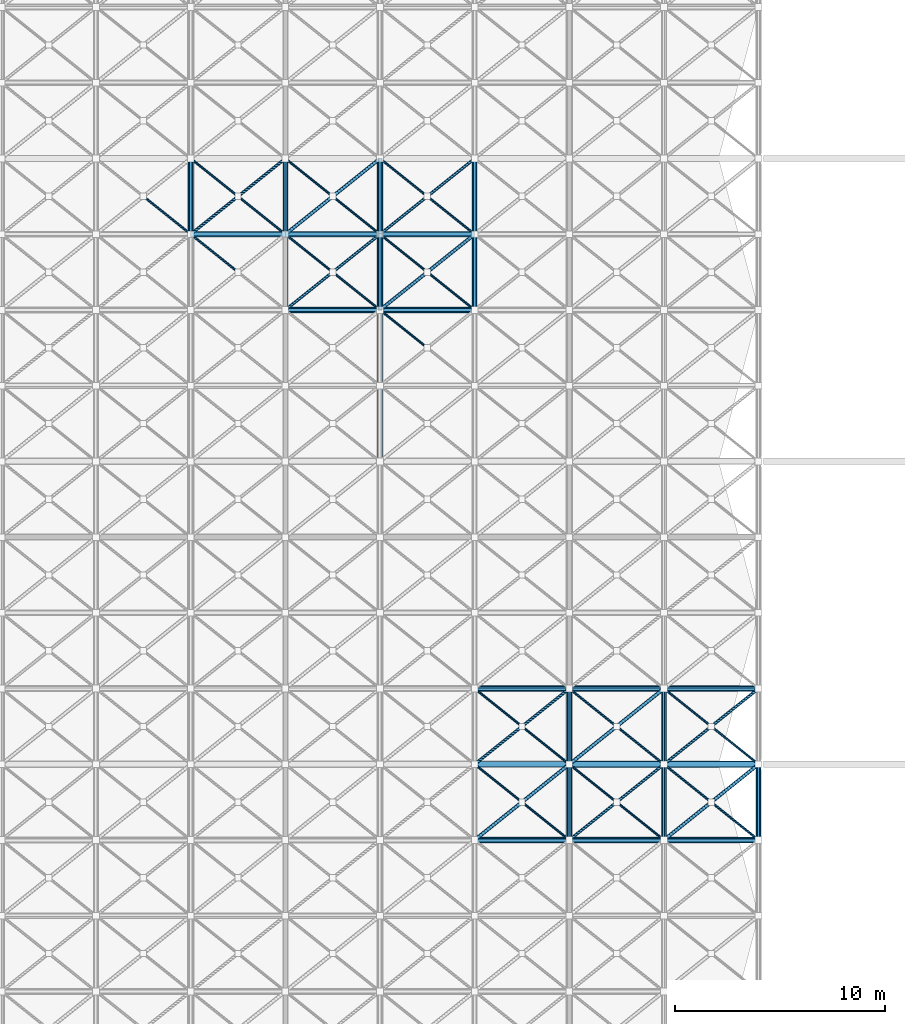
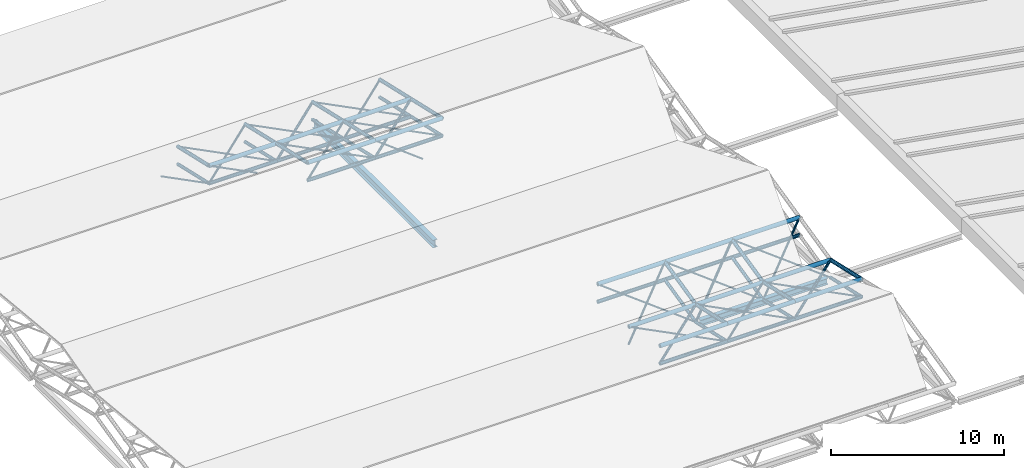
# One storey, part 18 of 110: 84 members, 2 beams.
"""IFC4 building model written with IfcOpenShell, lengths in metres."""

from ifc_helpers import new_model, si_unit, direction, frame, origin, origin_2d, place, context, subcontext, project, spatial, hollow_circle, i_section, extrude, material, material_profile, profile_set, type_object, element, save


model = new_model("IFC4")

# Units and contexts
model_context = context("Model", 3, precision=1e-05, world=origin(), true_north=direction((0.0, 1.0)))
body_context = subcontext(model_context, "Body", "Model", "MODEL_VIEW")
ifc_project = project(units=[si_unit("LENGTHUNIT", "METRE"), si_unit("AREAUNIT", "SQUARE_METRE"), si_unit("VOLUMEUNIT", "CUBIC_METRE"), si_unit("PLANEANGLEUNIT", "RADIAN"), si_unit("MASSUNIT", "GRAM", prefix="KILO")], contexts=[model_context])

# Site, building, storey
site_placement = place(None, origin())
site = spatial("IfcSite", under=ifc_project, at=site_placement, CompositionType="ELEMENT")
building_placement = place(site_placement, origin())
building = spatial("IfcBuilding", under=site, at=building_placement, Name="Tamarisk Ironworks Central Station", CompositionType="ELEMENT")
storey_placement = place(building_placement, frame((0.0, 0.0, 17.39990234375)))
storey = spatial("IfcBuildingStorey", under=building, at=storey_placement, Name="L03", CompositionType="ELEMENT", Elevation=17.39990234375)

# Beams
ifc_material_1 = material(Name="Structural steel S355J2", Category="steel")
ifc_material_profile_1 = material_profile(ifc_material_1, i_section(OverallWidth=0.300048828125, OverallDepth=0.5400390625, WebThickness=0.012451171875, FlangeThickness=0.02392578125, at=origin_2d()), Name="HEA 550")
ifc_profile_set_1 = profile_set([ifc_material_profile_1], Name="Structural steel S355J2")
beam_type_1 = type_object("IfcBeamType", Name="BM-G04", PredefinedType="BEAM", material=ifc_profile_set_1)
beam_1_placement = place(storey_placement, frame((27.0, 50.59130859375, -1.869873046875), z_axis=(0.0, 1.0, 0.0), x_axis=(-1.0, 0.0, 0.0)))
element("IfcBeam", 1, at=beam_1_placement, inside=storey, type_object=beam_type_1, Name="L03 primary girder Y-0596", PredefinedType="BEAM", context=body_context, shape_type="SweptSolid", body=[
    extrude(i_section(OverallWidth=0.300048828125, OverallDepth=0.5400390625, WebThickness=0.012451171875, FlangeThickness=0.02392578125, at=origin_2d()), origin(), (0.0, 0.0, 1.0), 14.017578125),
])
ifc_material_profile_2 = material_profile(ifc_material_1, i_section(OverallWidth=0.300048828125, OverallDepth=0.43994140625, WebThickness=0.011474609375, FlangeThickness=0.02099609375, at=origin_2d()), Name="HEA 450")
ifc_profile_set_2 = profile_set([ifc_material_profile_2], Name="Structural steel S355J2")
beam_type_2 = type_object("IfcBeamType", Name="BM-G06", PredefinedType="BEAM", material=ifc_profile_set_2)
beam_2_placement = place(storey_placement, frame((36.241943359375, 36.0, -1.81982421875), z_axis=(1.0, 0.0, 0.0), x_axis=(0.0, 1.0, 0.0)))
element("IfcBeam", 2, at=beam_2_placement, inside=storey, type_object=beam_type_2, Name="L03 primary girder X-0551", PredefinedType="BEAM", context=body_context, shape_type="SweptSolid", body=[
    extrude(i_section(OverallWidth=0.300048828125, OverallDepth=0.43994140625, WebThickness=0.011474609375, FlangeThickness=0.02099609375, at=origin_2d()), origin(), (0.0, 0.0, 1.0), 8.52001953125),
])

# Members
ifc_material_2 = material(Name="Structural steel S355J2H", Category="steel")
ifc_material_profile_3 = material_profile(ifc_material_2, hollow_circle(Radius=0.136474609375, WallThickness=0.012451171875, at=origin_2d()), Name="CHS 273x12.5")
ifc_profile_set_3 = profile_set([ifc_material_profile_3], Name="Structural steel S355J2H")
member_type_1 = type_object("IfcMemberType", Name="MB-SFC01", PredefinedType="CHORD", material=ifc_profile_set_3)
for number, where, z_axis, x_axis, name in (
    (3, (31.5, 32.39990234375, 0.35498046875), (1.0, 0.0, 0.0), (0.0, 1.0, 0.0), "Train shed space-frame top chord 0112"),
    (4, (36.0, 32.39990234375, 0.35498046875), (1.0, 0.0, 0.0), (0.0, 1.0, 0.0), "Train shed space-frame top chord 0113"),
    (5, (40.5, 32.39990234375, 0.35498046875), (1.0, 0.0, 0.0), (0.0, 1.0, 0.0), "Train shed space-frame top chord 0114"),
    (6, (31.5, 36.0, -0.469970703125), (1.0, 0.0, 0.0), (0.0, 1.0, 0.0), "Train shed space-frame top chord 0122"),
    (7, (36.0, 36.0, -0.469970703125), (1.0, 0.0, 0.0), (0.0, 1.0, 0.0), "Train shed space-frame top chord 0123"),
    (8, (40.5, 36.0, -0.469970703125), (1.0, 0.0, 0.0), (0.0, 1.0, 0.0), "Train shed space-frame top chord 0124"),
    (9, (31.5, 39.60009765625, 0.35498046875), (1.0, 0.0, 0.0), (0.0, 1.0, 0.0), "Train shed space-frame top chord 0330"),
    (10, (36.0, 39.60009765625, 0.35498046875), (1.0, 0.0, 0.0), (0.0, 1.0, 0.0), "Train shed space-frame top chord 0331"),
    (11, (40.5, 39.60009765625, 0.35498046875), (1.0, 0.0, 0.0), (0.0, 1.0, 0.0), "Train shed space-frame top chord 0332"),
    (12, (22.5, 57.60009765625, 1.18017578125), (1.0, 0.0, 0.0), (0.0, 1.0, 0.0), "Train shed space-frame top chord 0576"),
    (13, (27.0, 57.60009765625, 1.18017578125), (1.0, 0.0, 0.0), (0.0, 1.0, 0.0), "Train shed space-frame top chord 0577"),
    (14, (18.0, 61.199951171875, 0.35498046875), (1.0, 0.0, 0.0), (0.0, 1.0, 0.0), "Train shed space-frame top chord 0585"),
    (15, (22.5, 61.199951171875, 0.35498046875), (1.0, 0.0, 0.0), (0.0, 1.0, 0.0), "Train shed space-frame top chord 0586"),
    (16, (27.0, 61.199951171875, 0.35498046875), (1.0, 0.0, 0.0), (0.0, 1.0, 0.0), "Train shed space-frame top chord 0587"),
):
    element("IfcMember", number, at=place(storey_placement, frame(where, z_axis=z_axis, x_axis=x_axis)), inside=storey, type_object=member_type_1, Name=name, PredefinedType="CHORD", context=body_context, shape_type="SweptSolid", body=[
        extrude(hollow_circle(Radius=0.136474609375, WallThickness=0.012451171875, at=origin_2d()), origin(), (0.0, 0.0, 1.0), 4.5),
    ])
ifc_material_profile_4 = material_profile(ifc_material_2, hollow_circle(Radius=0.122314453125, WallThickness=0.012451171875, at=origin_2d()), Name="CHS 244.5x12.5")
ifc_profile_set_4 = profile_set([ifc_material_profile_4], Name="Structural steel S355J2H")
member_type_2 = type_object("IfcMemberType", Name="MB-SFC02", PredefinedType="CHORD", material=ifc_profile_set_4)
for number, where, z_axis, x_axis, name in (
    (17, (31.5, 32.39990234375, -0.89501953125), (1.0, 0.0, 0.0), (0.0, 1.0, 0.0), "Train shed space-frame bottom chord 0028"),
    (18, (36.0, 32.39990234375, -0.89501953125), (1.0, 0.0, 0.0), (0.0, 1.0, 0.0), "Train shed space-frame bottom chord 0029"),
    (19, (40.5, 32.39990234375, -0.89501953125), (1.0, 0.0, 0.0), (0.0, 1.0, 0.0), "Train shed space-frame bottom chord 0030"),
):
    element("IfcMember", number, at=place(storey_placement, frame(where, z_axis=z_axis, x_axis=x_axis)), inside=storey, type_object=member_type_2, Name=name, PredefinedType="CHORD", context=body_context, shape_type="SweptSolid", body=[
        extrude(hollow_circle(Radius=0.122314453125, WallThickness=0.012451171875, at=origin_2d()), origin(), (0.0, 0.0, 1.0), 4.5),
    ])
for number, where, z_axis, x_axis, name in (
    (20, (36.0, 32.39990234375, 0.35498046875), (0.0, 0.974736516158, -0.223357838607), (-1.0, 0.0, 0.0), "Train shed space-frame top transverse chord 0160"),
    (21, (40.5, 32.39990234375, 0.35498046875), (0.0, 0.974736516158, -0.223357838607), (-1.0, 0.0, 0.0), "Train shed space-frame top transverse chord 0164"),
    (22, (45.0, 32.39990234375, 0.35498046875), (0.0, 0.974736516158, -0.223357838607), (-1.0, 0.0, 0.0), "Train shed space-frame top transverse chord 0168"),
):
    element("IfcMember", number, at=place(storey_placement, frame(where, z_axis=z_axis, x_axis=x_axis)), inside=storey, type_object=member_type_2, Name=name, PredefinedType="CHORD", context=body_context, shape_type="SweptSolid", body=[
        extrude(hollow_circle(Radius=0.122314453125, WallThickness=0.012451171875, at=origin_2d()), origin(), (0.0, 0.0, 1.0), 3.693359375),
    ])
for number, where, z_axis, x_axis, name in (
    (23, (31.5, 39.60009765625, -0.89501953125), (1.0, 0.0, 0.0), (0.0, 1.0, 0.0), "Train shed space-frame bottom chord 0256"),
    (24, (36.0, 39.60009765625, -0.89501953125), (1.0, 0.0, 0.0), (0.0, 1.0, 0.0), "Train shed space-frame bottom chord 0257"),
    (25, (40.5, 39.60009765625, -0.89501953125), (1.0, 0.0, 0.0), (0.0, 1.0, 0.0), "Train shed space-frame bottom chord 0258"),
):
    element("IfcMember", number, at=place(storey_placement, frame(where, z_axis=z_axis, x_axis=x_axis)), inside=storey, type_object=member_type_2, Name=name, PredefinedType="CHORD", context=body_context, shape_type="SweptSolid", body=[
        extrude(hollow_circle(Radius=0.122314453125, WallThickness=0.012451171875, at=origin_2d()), origin(), (0.0, 0.0, 1.0), 4.5),
    ])
for number, where, z_axis, x_axis, name in (
    (26, (36.0, 36.0, -0.469970703125), (0.0, 0.974736516158, 0.223357838607), (-1.0, 0.0, 0.0), "Train shed space-frame top transverse chord 0395"),
    (27, (40.5, 36.0, -0.469970703125), (0.0, 0.974736516158, 0.223357838607), (-1.0, 0.0, 0.0), "Train shed space-frame top transverse chord 0399"),
):
    element("IfcMember", number, at=place(storey_placement, frame(where, z_axis=z_axis, x_axis=x_axis)), inside=storey, type_object=member_type_2, Name=name, PredefinedType="CHORD", context=body_context, shape_type="SweptSolid", body=[
        extrude(hollow_circle(Radius=0.122314453125, WallThickness=0.012451171875, at=origin_2d()), origin(), (0.0, 0.0, 1.0), 3.693359375),
    ])
for number, where, z_axis, x_axis, name in (
    (28, (22.5, 57.60009765625, -0.06982421875), (1.0, 0.0, 0.0), (0.0, 1.0, 0.0), "Train shed space-frame bottom chord 0502"),
    (29, (27.0, 57.60009765625, -0.06982421875), (1.0, 0.0, 0.0), (0.0, 1.0, 0.0), "Train shed space-frame bottom chord 0503"),
    (30, (18.0, 61.199951171875, -0.89501953125), (1.0, 0.0, 0.0), (0.0, 1.0, 0.0), "Train shed space-frame bottom chord 0511"),
    (31, (22.5, 61.199951171875, -0.89501953125), (1.0, 0.0, 0.0), (0.0, 1.0, 0.0), "Train shed space-frame bottom chord 0512"),
    (32, (27.0, 61.199951171875, -0.89501953125), (1.0, 0.0, 0.0), (0.0, 1.0, 0.0), "Train shed space-frame bottom chord 0513"),
):
    element("IfcMember", number, at=place(storey_placement, frame(where, z_axis=z_axis, x_axis=x_axis)), inside=storey, type_object=member_type_2, Name=name, PredefinedType="CHORD", context=body_context, shape_type="SweptSolid", body=[
        extrude(hollow_circle(Radius=0.122314453125, WallThickness=0.012451171875, at=origin_2d()), origin(), (0.0, 0.0, 1.0), 4.5),
    ])
member_1_placement = place(storey_placement, frame((18.0, 61.199951171875, 0.35498046875), z_axis=(0.0, 0.974736516158, -0.223357838607), x_axis=(-1.0, 0.0, 0.0)))
element("IfcMember", 33, at=member_1_placement, inside=storey, type_object=member_type_2, Name="Train shed space-frame top transverse chord 0620", PredefinedType="CHORD", context=body_context, shape_type="SweptSolid", body=[
    extrude(hollow_circle(Radius=0.122314453125, WallThickness=0.012451171875, at=origin_2d()), origin(), (0.0, 0.0, 1.0), 3.693359375),
])
member_2_placement = place(storey_placement, frame((22.5, 57.60009765625, 1.18017578125), z_axis=(0.0, 0.974718823144, -0.223435037113), x_axis=(-1.0, 0.0, 0.0)))
element("IfcMember", 34, at=member_2_placement, inside=storey, type_object=member_type_2, Name="Train shed space-frame top transverse chord 0623", PredefinedType="CHORD", context=body_context, shape_type="SweptSolid", body=[
    extrude(hollow_circle(Radius=0.122314453125, WallThickness=0.012451171875, at=origin_2d()), origin(), (0.0, 0.0, 1.0), 3.693115234375),
])
member_3_placement = place(storey_placement, frame((22.5, 61.199951171875, 0.35498046875), z_axis=(0.0, 0.974736516158, -0.223357838607), x_axis=(-1.0, 0.0, 0.0)))
element("IfcMember", 35, at=member_3_placement, inside=storey, type_object=member_type_2, Name="Train shed space-frame top transverse chord 0624", PredefinedType="CHORD", context=body_context, shape_type="SweptSolid", body=[
    extrude(hollow_circle(Radius=0.122314453125, WallThickness=0.012451171875, at=origin_2d()), origin(), (0.0, 0.0, 1.0), 3.693359375),
])
member_4_placement = place(storey_placement, frame((27.0, 57.60009765625, 1.18017578125), z_axis=(0.0, 0.974718823144, -0.223435037113), x_axis=(-1.0, 0.0, 0.0)))
element("IfcMember", 36, at=member_4_placement, inside=storey, type_object=member_type_2, Name="Train shed space-frame top transverse chord 0627", PredefinedType="CHORD", context=body_context, shape_type="SweptSolid", body=[
    extrude(hollow_circle(Radius=0.122314453125, WallThickness=0.012451171875, at=origin_2d()), origin(), (0.0, 0.0, 1.0), 3.693115234375),
])
member_5_placement = place(storey_placement, frame((27.0, 61.199951171875, 0.35498046875), z_axis=(0.0, 0.974736516158, -0.223357838607), x_axis=(-1.0, 0.0, 0.0)))
element("IfcMember", 37, at=member_5_placement, inside=storey, type_object=member_type_2, Name="Train shed space-frame top transverse chord 0628", PredefinedType="CHORD", context=body_context, shape_type="SweptSolid", body=[
    extrude(hollow_circle(Radius=0.122314453125, WallThickness=0.012451171875, at=origin_2d()), origin(), (0.0, 0.0, 1.0), 3.693359375),
])
member_6_placement = place(storey_placement, frame((31.5, 57.60009765625, 1.18017578125), z_axis=(0.0, 0.974718823144, -0.223435037113), x_axis=(-1.0, 0.0, 0.0)))
element("IfcMember", 38, at=member_6_placement, inside=storey, type_object=member_type_2, Name="Train shed space-frame top transverse chord 0631", PredefinedType="CHORD", context=body_context, shape_type="SweptSolid", body=[
    extrude(hollow_circle(Radius=0.122314453125, WallThickness=0.012451171875, at=origin_2d()), origin(), (0.0, 0.0, 1.0), 3.693115234375),
])
member_7_placement = place(storey_placement, frame((31.5, 61.199951171875, 0.35498046875), z_axis=(0.0, 0.974736516158, -0.223357838607), x_axis=(-1.0, 0.0, 0.0)))
element("IfcMember", 39, at=member_7_placement, inside=storey, type_object=member_type_2, Name="Train shed space-frame top transverse chord 0632", PredefinedType="CHORD", context=body_context, shape_type="SweptSolid", body=[
    extrude(hollow_circle(Radius=0.122314453125, WallThickness=0.012451171875, at=origin_2d()), origin(), (0.0, 0.0, 1.0), 3.693359375),
])
ifc_material_profile_5 = material_profile(ifc_material_2, hollow_circle(Radius=0.109619140625, WallThickness=0.010009765625, at=origin_2d()), Name="CHS 219.1x10")
ifc_profile_set_5 = profile_set([ifc_material_profile_5], Name="Structural steel S355J2H")
member_type_3 = type_object("IfcMemberType", Name="MB-SFC03", PredefinedType="CHORD", material=ifc_profile_set_5)
for number, where, z_axis, x_axis, name in (
    (40, (36.0, 32.39990234375, -0.89501953125), (0.0, 0.974736516158, -0.223357838607), (-1.0, 0.0, 0.0), "Train shed space-frame transverse chord 0066"),
    (41, (40.5, 32.39990234375, -0.89501953125), (0.0, 0.974736516158, -0.223357838607), (-1.0, 0.0, 0.0), "Train shed space-frame transverse chord 0070"),
    (42, (45.0, 32.39990234375, -0.89501953125), (0.0, 0.974736516158, -0.223357838607), (-1.0, 0.0, 0.0), "Train shed space-frame transverse chord 0074"),
    (43, (36.0, 36.0, -1.719970703125), (0.0, 0.974736516158, 0.223357838607), (-1.0, 0.0, 0.0), "Train shed space-frame transverse chord 0311"),
    (44, (40.5, 36.0, -1.719970703125), (0.0, 0.974736516158, 0.223357838607), (-1.0, 0.0, 0.0), "Train shed space-frame transverse chord 0315"),
    (45, (18.0, 61.199951171875, -0.89501953125), (0.0, 0.974736516158, -0.223357838607), (-1.0, 0.0, 0.0), "Train shed space-frame transverse chord 0536"),
    (46, (22.5, 61.199951171875, -0.89501953125), (0.0, 0.974736516158, -0.223357838607), (-1.0, 0.0, 0.0), "Train shed space-frame transverse chord 0540"),
):
    element("IfcMember", number, at=place(storey_placement, frame(where, z_axis=z_axis, x_axis=x_axis)), inside=storey, type_object=member_type_3, Name=name, PredefinedType="CHORD", context=body_context, shape_type="SweptSolid", body=[
        extrude(hollow_circle(Radius=0.109619140625, WallThickness=0.010009765625, at=origin_2d()), origin(), (0.0, 0.0, 1.0), 3.693359375),
    ])
member_8_placement = place(storey_placement, frame((27.0, 57.60009765625, -0.06982421875), z_axis=(0.0, 0.974718823144, -0.223435037113), x_axis=(-1.0, 0.0, 0.0)))
element("IfcMember", 47, at=member_8_placement, inside=storey, type_object=member_type_3, Name="Train shed space-frame transverse chord 0543", PredefinedType="CHORD", context=body_context, shape_type="SweptSolid", body=[
    extrude(hollow_circle(Radius=0.109619140625, WallThickness=0.010009765625, at=origin_2d()), origin(), (0.0, 0.0, 1.0), 3.693115234375),
])
member_9_placement = place(storey_placement, frame((27.0, 61.199951171875, -0.89501953125), z_axis=(0.0, 0.974736516158, -0.223357838607), x_axis=(-1.0, 0.0, 0.0)))
element("IfcMember", 48, at=member_9_placement, inside=storey, type_object=member_type_3, Name="Train shed space-frame transverse chord 0544", PredefinedType="CHORD", context=body_context, shape_type="SweptSolid", body=[
    extrude(hollow_circle(Radius=0.109619140625, WallThickness=0.010009765625, at=origin_2d()), origin(), (0.0, 0.0, 1.0), 3.693359375),
])
member_10_placement = place(storey_placement, frame((31.5, 57.60009765625, -0.06982421875), z_axis=(0.0, 0.974718823144, -0.223435037113), x_axis=(-1.0, 0.0, 0.0)))
element("IfcMember", 49, at=member_10_placement, inside=storey, type_object=member_type_3, Name="Train shed space-frame transverse chord 0547", PredefinedType="CHORD", context=body_context, shape_type="SweptSolid", body=[
    extrude(hollow_circle(Radius=0.109619140625, WallThickness=0.010009765625, at=origin_2d()), origin(), (0.0, 0.0, 1.0), 3.693115234375),
])
member_11_placement = place(storey_placement, frame((31.5, 61.199951171875, -0.89501953125), z_axis=(0.0, 0.974736516158, -0.223357838607), x_axis=(-1.0, 0.0, 0.0)))
element("IfcMember", 50, at=member_11_placement, inside=storey, type_object=member_type_3, Name="Train shed space-frame transverse chord 0548", PredefinedType="CHORD", context=body_context, shape_type="SweptSolid", body=[
    extrude(hollow_circle(Radius=0.109619140625, WallThickness=0.010009765625, at=origin_2d()), origin(), (0.0, 0.0, 1.0), 3.693359375),
])
ifc_material_profile_6 = material_profile(ifc_material_2, hollow_circle(Radius=0.084228515625, WallThickness=0.010009765625, at=origin_2d()), Name="CHS 168.3x10")
ifc_profile_set_6 = profile_set([ifc_material_profile_6], Name="Structural steel S355J2H")
member_type_4 = type_object("IfcMemberType", Name="MB-SFD01", PredefinedType="BRACE", material=ifc_profile_set_6)
for number, where, z_axis, x_axis, name in (
    (51, (31.5, 32.39990234375, -0.89501953125), (0.778745225774, 0.623013080472, 0.073556610138), (-0.624705380279, 0.780860543151, 0.0), "Train shed space-frame diagonal 0231"),
    (52, (40.5, 32.39990234375, -0.89501953125), (0.778745225774, 0.623013080472, 0.073556610138), (-0.624705380279, 0.780860543151, 0.0), "Train shed space-frame diagonal 0247"),
):
    element("IfcMember", number, at=place(storey_placement, frame(where, z_axis=z_axis, x_axis=x_axis)), inside=storey, type_object=member_type_4, Name=name, PredefinedType="BRACE", context=body_context, shape_type="SweptSolid", body=[
        extrude(hollow_circle(Radius=0.084228515625, WallThickness=0.010009765625, at=origin_2d()), origin(), (0.0, 0.0, 1.0), 5.778564453125),
    ])
member_12_placement = place(storey_placement, frame((36.0, 36.0, -1.719970703125), z_axis=(0.734688976783, 0.587767125198, 0.33876527852), x_axis=(-0.624705380279, 0.780860543151, 0.0)))
element("IfcMember", 53, at=member_12_placement, inside=storey, type_object=member_type_4, Name="Train shed space-frame diagonal 0471", PredefinedType="BRACE", context=body_context, shape_type="SweptSolid", body=[
    extrude(hollow_circle(Radius=0.084228515625, WallThickness=0.010009765625, at=origin_2d()), origin(), (0.0, 0.0, 1.0), 6.125),
])
member_13_placement = place(storey_placement, frame((22.5, 61.199951171875, -0.89501953125), z_axis=(0.778745225774, 0.623013080472, 0.073556610138), x_axis=(-0.624705380279, 0.780860543151, 0.0)))
element("IfcMember", 54, at=member_13_placement, inside=storey, type_object=member_type_4, Name="Train shed space-frame diagonal 0691", PredefinedType="BRACE", context=body_context, shape_type="SweptSolid", body=[
    extrude(hollow_circle(Radius=0.084228515625, WallThickness=0.010009765625, at=origin_2d()), origin(), (0.0, 0.0, 1.0), 5.778564453125),
])
member_14_placement = place(storey_placement, frame((27.0, 57.60009765625, -0.06982421875), z_axis=(0.778768143722, 0.622989164452, 0.073516523984), x_axis=(-0.624679547852, 0.780881208953, 0.0)))
element("IfcMember", 55, at=member_14_placement, inside=storey, type_object=member_type_4, Name="Train shed space-frame diagonal 0697", PredefinedType="BRACE", context=body_context, shape_type="SweptSolid", body=[
    extrude(hollow_circle(Radius=0.084228515625, WallThickness=0.010009765625, at=origin_2d()), origin(), (0.0, 0.0, 1.0), 5.7783203125),
])
ifc_material_profile_7 = material_profile(ifc_material_2, hollow_circle(Radius=0.06982421875, WallThickness=0.008056640625, at=origin_2d()), Name="CHS 139.7x8")
ifc_profile_set_7 = profile_set([ifc_material_profile_7], Name="Structural steel S355J2H")
member_type_5 = type_object("IfcMemberType", Name="MB-SFD02", PredefinedType="BRACE", material=ifc_profile_set_7)
member_15_placement = place(storey_placement, frame((36.0, 32.39990234375, -0.89501953125), z_axis=(0.778745225774, 0.623013080472, 0.073556610138), x_axis=(-0.624705380279, 0.780860543151, 0.0)))
element("IfcMember", 56, at=member_15_placement, inside=storey, type_object=member_type_5, Name="Train shed space-frame diagonal 0239", PredefinedType="BRACE", context=body_context, shape_type="SweptSolid", body=[
    extrude(hollow_circle(Radius=0.06982421875, WallThickness=0.008056640625, at=origin_2d()), origin(), (0.0, 0.0, 1.0), 5.778564453125),
])
for number, where, z_axis, x_axis, name in (
    (57, (31.5, 36.0, -1.719970703125), (0.734688976783, 0.587767125198, 0.33876527852), (-0.624705380279, 0.780860543151, 0.0), "Train shed space-frame diagonal 0463"),
    (58, (40.5, 36.0, -1.719970703125), (0.734688976783, 0.587767125198, 0.33876527852), (-0.624705380279, 0.780860543151, 0.0), "Train shed space-frame diagonal 0479"),
):
    element("IfcMember", number, at=place(storey_placement, frame(where, z_axis=z_axis, x_axis=x_axis)), inside=storey, type_object=member_type_5, Name=name, PredefinedType="BRACE", context=body_context, shape_type="SweptSolid", body=[
        extrude(hollow_circle(Radius=0.06982421875, WallThickness=0.008056640625, at=origin_2d()), origin(), (0.0, 0.0, 1.0), 6.125),
    ])
member_16_placement = place(storey_placement, frame((18.0, 61.199951171875, -0.89501953125), z_axis=(0.778745225774, 0.623013080472, 0.073556610138), x_axis=(-0.624705380279, 0.780860543151, 0.0)))
element("IfcMember", 59, at=member_16_placement, inside=storey, type_object=member_type_5, Name="Train shed space-frame diagonal 0683", PredefinedType="BRACE", context=body_context, shape_type="SweptSolid", body=[
    extrude(hollow_circle(Radius=0.06982421875, WallThickness=0.008056640625, at=origin_2d()), origin(), (0.0, 0.0, 1.0), 5.778564453125),
])
member_17_placement = place(storey_placement, frame((22.5, 57.60009765625, -0.06982421875), z_axis=(0.778768143722, 0.622989164452, 0.073516523984), x_axis=(-0.624679547852, 0.780881208953, 0.0)))
element("IfcMember", 60, at=member_17_placement, inside=storey, type_object=member_type_5, Name="Train shed space-frame diagonal 0689", PredefinedType="BRACE", context=body_context, shape_type="SweptSolid", body=[
    extrude(hollow_circle(Radius=0.06982421875, WallThickness=0.008056640625, at=origin_2d()), origin(), (0.0, 0.0, 1.0), 5.7783203125),
])
member_18_placement = place(storey_placement, frame((27.0, 61.199951171875, -0.89501953125), z_axis=(0.778745225774, 0.623013080472, 0.073556610138), x_axis=(-0.624705380279, 0.780860543151, 0.0)))
element("IfcMember", 61, at=member_18_placement, inside=storey, type_object=member_type_5, Name="Train shed space-frame diagonal 0699", PredefinedType="BRACE", context=body_context, shape_type="SweptSolid", body=[
    extrude(hollow_circle(Radius=0.06982421875, WallThickness=0.008056640625, at=origin_2d()), origin(), (0.0, 0.0, 1.0), 5.778564453125),
])
ifc_material_profile_8 = material_profile(ifc_material_2, hollow_circle(Radius=0.05712890625, WallThickness=0.00634765625, at=origin_2d()), Name="CHS 114.3x6.3")
ifc_profile_set_8 = profile_set([ifc_material_profile_8], Name="Structural steel S355J2H")
member_type_6 = type_object("IfcMemberType", Name="MB-SFD03", PredefinedType="BRACE", material=ifc_profile_set_8)
member_19_placement = place(storey_placement, frame((36.0, 32.39990234375, -0.89501953125), z_axis=(-0.778744920641, 0.623013163477, 0.07355913751), x_axis=(-0.624705580279, -0.780860383147, 0.0)))
element("IfcMember", 62, at=member_19_placement, inside=storey, type_object=member_type_6, Name="Train shed space-frame split counter-diagonal lower 0232", PredefinedType="BRACE", context=body_context, shape_type="SweptSolid", body=[
    extrude(hollow_circle(Radius=0.05712890625, WallThickness=0.00634765625, at=origin_2d()), origin(), (0.0, 0.0, 1.0), 2.83447265625),
])
member_20_placement = place(storey_placement, frame((33.707275390625, 34.234375, -0.678466796875), z_axis=(-0.778786711003, 0.622960457248, 0.073563084968), x_axis=(-0.624652913247, -0.780902515025, 0.0)))
element("IfcMember", 63, at=member_20_placement, inside=storey, type_object=member_type_6, Name="Train shed space-frame split counter-diagonal upper 0232", PredefinedType="BRACE", context=body_context, shape_type="SweptSolid", body=[
    extrude(hollow_circle(Radius=0.05712890625, WallThickness=0.00634765625, at=origin_2d()), origin(), (0.0, 0.0, 1.0), 2.834228515625),
])
member_21_placement = place(storey_placement, frame((40.5, 32.39990234375, -0.89501953125), z_axis=(-0.778744920641, 0.623013163477, 0.07355913751), x_axis=(-0.624705580279, -0.780860383147, 0.0)))
element("IfcMember", 64, at=member_21_placement, inside=storey, type_object=member_type_6, Name="Train shed space-frame split counter-diagonal lower 0240", PredefinedType="BRACE", context=body_context, shape_type="SweptSolid", body=[
    extrude(hollow_circle(Radius=0.05712890625, WallThickness=0.00634765625, at=origin_2d()), origin(), (0.0, 0.0, 1.0), 2.83447265625),
])
member_22_placement = place(storey_placement, frame((38.207275390625, 34.234375, -0.678466796875), z_axis=(-0.778786711003, 0.622960457248, 0.073563084968), x_axis=(-0.624652913247, -0.780902515025, 0.0)))
element("IfcMember", 65, at=member_22_placement, inside=storey, type_object=member_type_6, Name="Train shed space-frame split counter-diagonal upper 0240", PredefinedType="BRACE", context=body_context, shape_type="SweptSolid", body=[
    extrude(hollow_circle(Radius=0.05712890625, WallThickness=0.00634765625, at=origin_2d()), origin(), (0.0, 0.0, 1.0), 2.834228515625),
])
member_23_placement = place(storey_placement, frame((45.0, 32.39990234375, -0.89501953125), z_axis=(-0.778744920641, 0.623013163477, 0.07355913751), x_axis=(-0.624705580279, -0.780860383147, 0.0)))
element("IfcMember", 66, at=member_23_placement, inside=storey, type_object=member_type_6, Name="Train shed space-frame split counter-diagonal lower 0248", PredefinedType="BRACE", context=body_context, shape_type="SweptSolid", body=[
    extrude(hollow_circle(Radius=0.05712890625, WallThickness=0.00634765625, at=origin_2d()), origin(), (0.0, 0.0, 1.0), 2.83447265625),
])
member_24_placement = place(storey_placement, frame((42.707275390625, 34.234375, -0.678466796875), z_axis=(-0.778786711003, 0.622960457248, 0.073563084968), x_axis=(-0.624652913247, -0.780902515025, 0.0)))
element("IfcMember", 67, at=member_24_placement, inside=storey, type_object=member_type_6, Name="Train shed space-frame split counter-diagonal upper 0248", PredefinedType="BRACE", context=body_context, shape_type="SweptSolid", body=[
    extrude(hollow_circle(Radius=0.05712890625, WallThickness=0.00634765625, at=origin_2d()), origin(), (0.0, 0.0, 1.0), 2.834228515625),
])
for number, where, z_axis, x_axis, name in (
    (68, (36.0, 36.0, -1.719970703125), (-0.734712152648, 0.587704782363, 0.33882317149), (-0.624652959802, -0.780902477785, 0.0), "Train shed space-frame split counter-diagonal lower 0464"),
    (69, (33.709716796875, 37.832275390625, -0.663818359375), (-0.734697304949, 0.58777407857, 0.338735151205), (-0.624705568642, -0.780860392457, 0.0), "Train shed space-frame split counter-diagonal upper 0464"),
    (70, (40.5, 36.0, -1.719970703125), (-0.734712152648, 0.587704782363, 0.33882317149), (-0.624652959802, -0.780902477785, 0.0), "Train shed space-frame split counter-diagonal lower 0472"),
    (71, (38.209716796875, 37.832275390625, -0.663818359375), (-0.734697304949, 0.58777407857, 0.338735151205), (-0.624705568642, -0.780860392457, 0.0), "Train shed space-frame split counter-diagonal upper 0472"),
    (72, (45.0, 36.0, -1.719970703125), (-0.734712152648, 0.587704782363, 0.33882317149), (-0.624652959802, -0.780902477785, 0.0), "Train shed space-frame split counter-diagonal lower 0480"),
    (73, (42.709716796875, 37.832275390625, -0.663818359375), (-0.734697304949, 0.58777407857, 0.338735151205), (-0.624705568642, -0.780860392457, 0.0), "Train shed space-frame split counter-diagonal upper 0480"),
):
    element("IfcMember", number, at=place(storey_placement, frame(where, z_axis=z_axis, x_axis=x_axis)), inside=storey, type_object=member_type_6, Name=name, PredefinedType="BRACE", context=body_context, shape_type="SweptSolid", body=[
        extrude(hollow_circle(Radius=0.05712890625, WallThickness=0.00634765625, at=origin_2d()), origin(), (0.0, 0.0, 1.0), 3.007568359375),
    ])
member_25_placement = place(storey_placement, frame((18.0, 61.199951171875, -0.89501953125), z_axis=(-0.778744920641, 0.623013163477, 0.07355913751), x_axis=(-0.624705580279, -0.780860383147, 0.0)))
element("IfcMember", 74, at=member_25_placement, inside=storey, type_object=member_type_6, Name="Train shed space-frame split counter-diagonal lower 0676", PredefinedType="BRACE", context=body_context, shape_type="SweptSolid", body=[
    extrude(hollow_circle(Radius=0.05712890625, WallThickness=0.00634765625, at=origin_2d()), origin(), (0.0, 0.0, 1.0), 2.83447265625),
])
member_26_placement = place(storey_placement, frame((20.207275390625, 59.434326171875, 0.146484375), z_axis=(-0.778786711003, 0.622960457248, 0.073563084968), x_axis=(-0.624652913247, -0.780902515025, 0.0)))
element("IfcMember", 75, at=member_26_placement, inside=storey, type_object=member_type_6, Name="Train shed space-frame split counter-diagonal upper 0682", PredefinedType="BRACE", context=body_context, shape_type="SweptSolid", body=[
    extrude(hollow_circle(Radius=0.05712890625, WallThickness=0.00634765625, at=origin_2d()), origin(), (0.0, 0.0, 1.0), 2.834228515625),
])
for number, where, z_axis, x_axis, name in (
    (76, (22.5, 61.199951171875, -0.89501953125), (-0.778744920641, 0.623013163477, 0.07355913751), (-0.624705580279, -0.780860383147, 0.0), "Train shed space-frame split counter-diagonal lower 0684"),
    (77, (20.207275390625, 63.0341796875, -0.678466796875), (-0.778744920641, 0.623013163477, 0.07355913751), (-0.624705580279, -0.780860383147, 0.0), "Train shed space-frame split counter-diagonal upper 0684"),
):
    element("IfcMember", number, at=place(storey_placement, frame(where, z_axis=z_axis, x_axis=x_axis)), inside=storey, type_object=member_type_6, Name=name, PredefinedType="BRACE", context=body_context, shape_type="SweptSolid", body=[
        extrude(hollow_circle(Radius=0.05712890625, WallThickness=0.00634765625, at=origin_2d()), origin(), (0.0, 0.0, 1.0), 2.83447265625),
    ])
for number, where, z_axis, x_axis, name in (
    (78, (27.0, 57.60009765625, -0.06982421875), (-0.778786711003, 0.622960457248, 0.073563084968), (-0.624652913247, -0.780902515025, 0.0), "Train shed space-frame split counter-diagonal lower 0690"),
    (79, (24.707275390625, 59.434326171875, 0.146484375), (-0.778786711003, 0.622960457248, 0.073563084968), (-0.624652913247, -0.780902515025, 0.0), "Train shed space-frame split counter-diagonal upper 0690"),
):
    element("IfcMember", number, at=place(storey_placement, frame(where, z_axis=z_axis, x_axis=x_axis)), inside=storey, type_object=member_type_6, Name=name, PredefinedType="BRACE", context=body_context, shape_type="SweptSolid", body=[
        extrude(hollow_circle(Radius=0.05712890625, WallThickness=0.00634765625, at=origin_2d()), origin(), (0.0, 0.0, 1.0), 2.834228515625),
    ])
for number, where, z_axis, x_axis, name in (
    (80, (27.0, 61.199951171875, -0.89501953125), (-0.778744920641, 0.623013163477, 0.07355913751), (-0.624705580279, -0.780860383147, 0.0), "Train shed space-frame split counter-diagonal lower 0692"),
    (81, (24.707275390625, 63.0341796875, -0.678466796875), (-0.778744920641, 0.623013163477, 0.07355913751), (-0.624705580279, -0.780860383147, 0.0), "Train shed space-frame split counter-diagonal upper 0692"),
):
    element("IfcMember", number, at=place(storey_placement, frame(where, z_axis=z_axis, x_axis=x_axis)), inside=storey, type_object=member_type_6, Name=name, PredefinedType="BRACE", context=body_context, shape_type="SweptSolid", body=[
        extrude(hollow_circle(Radius=0.05712890625, WallThickness=0.00634765625, at=origin_2d()), origin(), (0.0, 0.0, 1.0), 2.83447265625),
    ])
member_27_placement = place(storey_placement, frame((29.209716796875, 55.832275390625, 0.1611328125), z_axis=(-0.734677102003, 0.587757915766, 0.338807007376), x_axis=(-0.624705568642, -0.780860392457, 0.0)))
element("IfcMember", 82, at=member_27_placement, inside=storey, type_object=member_type_6, Name="Train shed space-frame split counter-diagonal upper 0696", PredefinedType="BRACE", context=body_context, shape_type="SweptSolid", body=[
    extrude(hollow_circle(Radius=0.05712890625, WallThickness=0.00634765625, at=origin_2d()), origin(), (0.0, 0.0, 1.0), 3.0078125),
])
for number, where, z_axis, x_axis, name in (
    (83, (31.5, 57.60009765625, -0.06982421875), (-0.778786711003, 0.622960457248, 0.073563084968), (-0.624652913247, -0.780902515025, 0.0), "Train shed space-frame split counter-diagonal lower 0698"),
    (84, (29.207275390625, 59.434326171875, 0.146484375), (-0.778786711003, 0.622960457248, 0.073563084968), (-0.624652913247, -0.780902515025, 0.0), "Train shed space-frame split counter-diagonal upper 0698"),
):
    element("IfcMember", number, at=place(storey_placement, frame(where, z_axis=z_axis, x_axis=x_axis)), inside=storey, type_object=member_type_6, Name=name, PredefinedType="BRACE", context=body_context, shape_type="SweptSolid", body=[
        extrude(hollow_circle(Radius=0.05712890625, WallThickness=0.00634765625, at=origin_2d()), origin(), (0.0, 0.0, 1.0), 2.834228515625),
    ])
for number, where, z_axis, x_axis, name in (
    (85, (31.5, 61.199951171875, -0.89501953125), (-0.778744920641, 0.623013163477, 0.07355913751), (-0.624705580279, -0.780860383147, 0.0), "Train shed space-frame split counter-diagonal lower 0700"),
    (86, (29.207275390625, 63.0341796875, -0.678466796875), (-0.778744920641, 0.623013163477, 0.07355913751), (-0.624705580279, -0.780860383147, 0.0), "Train shed space-frame split counter-diagonal upper 0700"),
):
    element("IfcMember", number, at=place(storey_placement, frame(where, z_axis=z_axis, x_axis=x_axis)), inside=storey, type_object=member_type_6, Name=name, PredefinedType="BRACE", context=body_context, shape_type="SweptSolid", body=[
        extrude(hollow_circle(Radius=0.05712890625, WallThickness=0.00634765625, at=origin_2d()), origin(), (0.0, 0.0, 1.0), 2.83447265625),
    ])

save(model, "model.ifc")
